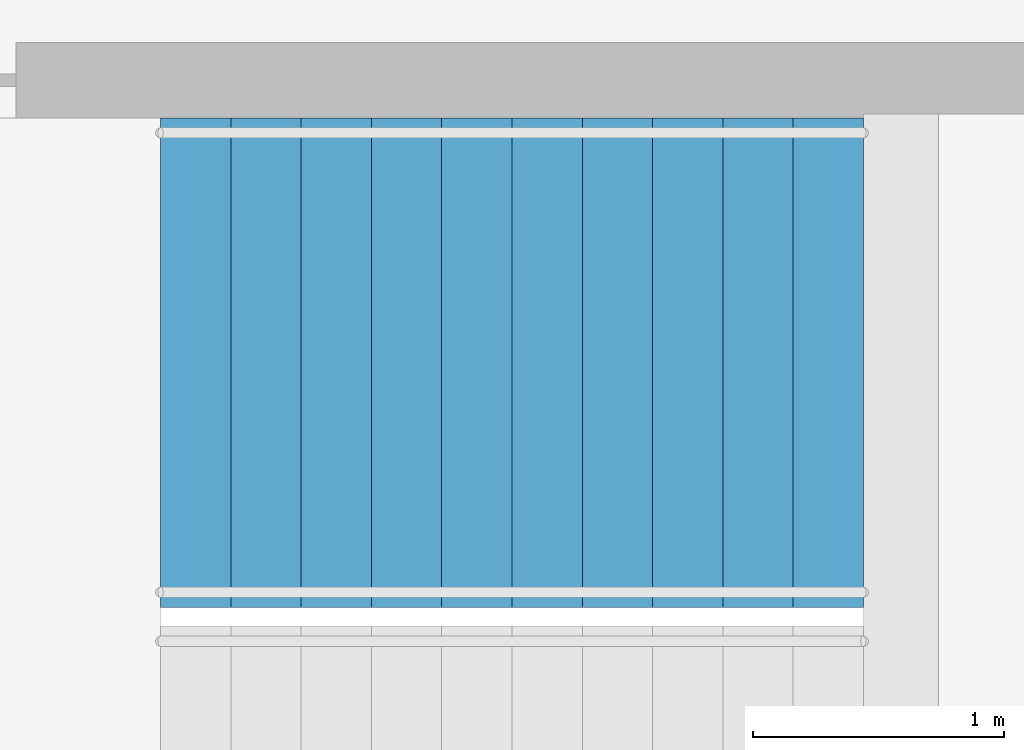
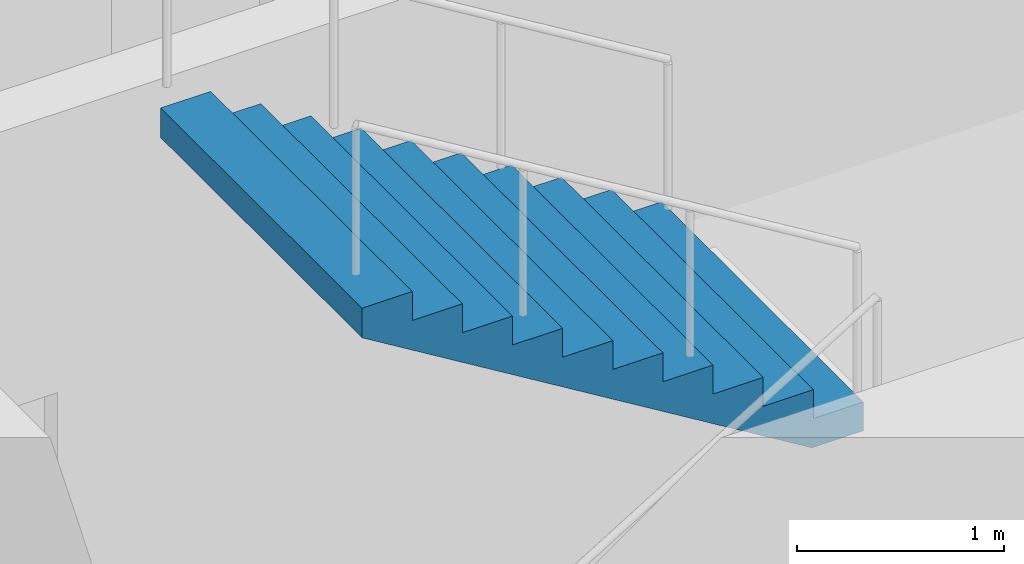
# One storey, part 18 of 21: 1 stair flight, 1 element without a shape of its own.
"""IFC4 building model written with IfcOpenShell, lengths in metres."""

from ifc_helpers import new_model, si_unit, direction, frame, origin, place, context, subcontext, project, spatial, triangles, material, type_object, element, aggregate, save


model = new_model("IFC4")

# Units and contexts
model_context = context("Model", 3, precision=1e-05, world=origin(), true_north=direction((0.0, 1.0)))
body_context = subcontext(model_context, "Body", "Model", "MODEL_VIEW")
ifc_project = project(units=[si_unit("LENGTHUNIT", "METRE"), si_unit("AREAUNIT", "SQUARE_METRE"), si_unit("VOLUMEUNIT", "CUBIC_METRE"), si_unit("PLANEANGLEUNIT", "RADIAN"), si_unit("MASSUNIT", "GRAM", prefix="KILO")], contexts=[model_context])

# Site, building, storey
site_placement = place(None, origin())
site = spatial("IfcSite", under=ifc_project, at=site_placement, CompositionType="ELEMENT")
building_placement = place(site_placement, origin())
building = spatial("IfcBuilding", under=site, at=building_placement, Name="Orbita Commons", CompositionType="ELEMENT")
storey_placement = place(building_placement, frame((0.0, 0.0, 88.14990234375)))
storey = spatial("IfcBuildingStorey", under=building, at=storey_placement, Name="L21", CompositionType="ELEMENT", Elevation=88.14990234375)

# Stair, stair flight
ifc_material_1 = material(Name="Precast concrete C40/50", Category="concrete")
stair_type = type_object("IfcStairType", Name="Exit stair S1 2 flights 11 risers 170", PredefinedType="HALF_TURN_STAIR", material=ifc_material_1)
stair_placement = place(storey_placement, origin())
stair = element("IfcStair", 1, at=stair_placement, inside=storey, type_object=stair_type, Name="Exit stair S1 L21", PredefinedType="HALF_TURN_STAIR")
ifc_material_2 = material(Name="Precast concrete C40/50", Category="concrete")
stair_flight_type = type_object("IfcStairFlightType", Name="Stair flight 11 risers 170 x 280", PredefinedType="STRAIGHT", material=ifc_material_2)
stair_flight_placement = place(storey_placement, frame((23.25, 29.27490234375, 1.875), z_axis=(0.0, 0.0, 1.0), x_axis=(-1.0, 0.0, 0.0)))
stair_flight = element("IfcStairFlight", 2, at=stair_flight_placement, type_object=stair_flight_type, Name="S1 flight 2", NumberOfRisers=11, NumberOfTreads=10, PredefinedType="STRAIGHT", RiserHeight=0.170454545, TreadLength=0.28, context=body_context, shape_type="Tessellation", body=[
    triangles([(0.0, 0.974976, 0.0), (0.0, 0.974976, 0.021307), (0.0, 0.81248, 0.021307), (0.0, 0.81248, 0.0), (0.0, 0.649984, 0.021307), (0.0, 0.649984, 0.0), (0.0, 0.487488, 0.021307), (0.0, 0.487488, 0.0), (0.0, 0.324992, 0.021307), (0.0, 0.324992, 0.0), (0.0, 0.162496, 0.021307), (0.0, 0.162496, 0.0), (0.0, 0.0, 0.021307), (0.0, 0.0, 0.0), (0.0, -0.162496, 0.021307), (0.0, -0.162496, 0.0), (0.0, -0.324992, 0.021307), (0.0, -0.324992, 0.0), (0.0, -0.487488, 0.021307), (0.0, -0.487488, 0.0), (0.0, -0.649984, 0.021307), (0.0, -0.649984, 0.0), (0.0, -0.81248, 0.021307), (0.0, -0.81248, 0.0), (0.0, -0.974976, 0.021307), (0.0, -0.974976, 0.0), (0.0, 0.974976, 0.042614), (0.0, 0.81248, 0.042614), (0.0, 0.649984, 0.042614), (0.0, 0.487488, 0.042614), (0.0, 0.324992, 0.042614), (0.0, 0.162496, 0.042614), (0.0, 0.0, 0.042614), (0.0, -0.162496, 0.042614), (0.0, -0.324992, 0.042614), (0.0, -0.487488, 0.042614), (0.0, -0.649984, 0.042614), (0.0, -0.81248, 0.042614), (0.0, -0.974976, 0.042614), (0.0, 0.974976, 0.06392), (0.0, 0.81248, 0.06392), (0.0, 0.649984, 0.06392), (0.0, 0.487488, 0.06392), (0.0, 0.324992, 0.06392), (0.0, 0.162496, 0.06392), (0.0, 0.0, 0.06392), (0.0, -0.162496, 0.06392), (0.0, -0.324992, 0.06392), (0.0, -0.487488, 0.06392), (0.0, -0.649984, 0.06392), (0.0, -0.81248, 0.06392), (0.0, -0.974976, 0.06392), (0.0, 0.974976, 0.085227), (0.0, 0.81248, 0.085227), (0.0, 0.649984, 0.085227), (0.0, 0.487488, 0.085227), (0.0, 0.324992, 0.085227), (0.0, 0.162496, 0.085227), (0.0, 0.0, 0.085227), (0.0, -0.162496, 0.085227), (0.0, -0.324992, 0.085227), (0.0, -0.487488, 0.085227), (0.0, -0.649984, 0.085227), (0.0, -0.81248, 0.085227), (0.0, -0.974976, 0.085227), (0.0, 0.974976, 0.106534), (0.0, 0.81248, 0.106534), (0.0, 0.649984, 0.106534), (0.0, 0.487488, 0.106534), (0.0, 0.324992, 0.106534), (0.0, 0.162496, 0.106534), (0.0, 0.0, 0.106534), (0.0, -0.162496, 0.106534), (0.0, -0.324992, 0.106534), (0.0, -0.487488, 0.106534), (0.0, -0.649984, 0.106534), (0.0, -0.81248, 0.106534), (0.0, -0.974976, 0.106534), (0.0, 0.974976, 0.127841), (0.0, 0.81248, 0.127841), (0.0, 0.649984, 0.127841), (0.0, 0.487488, 0.127841), (0.0, 0.324992, 0.127841), (0.0, 0.162496, 0.127841), (0.0, 0.0, 0.127841), (0.0, -0.162496, 0.127841), (0.0, -0.324992, 0.127841), (0.0, -0.487488, 0.127841), (0.0, -0.649984, 0.127841), (0.0, -0.81248, 0.127841), (0.0, -0.974976, 0.127841), (0.0, 0.974976, 0.149148), (0.0, 0.81248, 0.149148), (0.0, 0.649984, 0.149148), (0.0, 0.487488, 0.149148), (0.0, 0.324992, 0.149148), (0.0, 0.162496, 0.149148), (0.0, 0.0, 0.149148), (0.0, -0.162496, 0.149148), (0.0, -0.324992, 0.149148), (0.0, -0.487488, 0.149148), (0.0, -0.649984, 0.149148), (0.0, -0.81248, 0.149148), (0.0, -0.974976, 0.149148), (0.0, 0.974976, 0.170455), (0.0, 0.81248, 0.170455), (0.0, 0.649984, 0.170455), (0.0, 0.487488, 0.170455), (0.0, 0.324992, 0.170455), (0.0, 0.162496, 0.170455), (0.0, 0.0, 0.170455), (0.0, -0.162496, 0.170455), (0.0, -0.324992, 0.170455), (0.0, -0.487488, 0.170455), (0.0, -0.649984, 0.170455), (0.0, -0.81248, 0.170455), (0.0, -0.974976, 0.170455), (0.28, 0.974976, 0.170455), (0.28, 0.81248, 0.170455), (0.28, 0.649984, 0.170455), (0.28, 0.487488, 0.170455), (0.28, 0.324992, 0.170455), (0.28, 0.162496, 0.170455), (0.28, 0.0, 0.170455), (0.28, -0.162496, 0.170455), (0.28, -0.324992, 0.170455), (0.28, -0.487488, 0.170455), (0.28, -0.649984, 0.170455), (0.28, -0.81248, 0.170455), (0.28, -0.974976, 0.170455), (0.28, 0.974976, 0.340909), (0.28, 0.81248, 0.340909), (0.28, 0.649984, 0.340909), (0.28, 0.487488, 0.340909), (0.28, 0.324992, 0.340909), (0.28, 0.162496, 0.340909), (0.28, 0.0, 0.340909), (0.28, -0.162496, 0.340909), (0.28, -0.324992, 0.340909), (0.28, -0.487488, 0.340909), (0.28, -0.649984, 0.340909), (0.28, -0.81248, 0.340909), (0.28, -0.974976, 0.340909), (0.56, 0.974976, 0.340909), (0.56, 0.81248, 0.340909), (0.56, 0.649984, 0.340909), (0.56, 0.487488, 0.340909), (0.56, 0.324992, 0.340909), (0.56, 0.162496, 0.340909), (0.56, 0.0, 0.340909), (0.56, -0.162496, 0.340909), (0.56, -0.324992, 0.340909), (0.56, -0.487488, 0.340909), (0.56, -0.649984, 0.340909), (0.56, -0.81248, 0.340909), (0.56, -0.974976, 0.340909), (0.56, 0.974976, 0.511364), (0.56, 0.81248, 0.511364), (0.56, 0.649984, 0.511364), (0.56, 0.487488, 0.511364), (0.56, 0.324992, 0.511364), (0.56, 0.162496, 0.511364), (0.56, 0.0, 0.511364), (0.56, -0.162496, 0.511364), (0.56, -0.324992, 0.511364), (0.56, -0.487488, 0.511364), (0.56, -0.649984, 0.511364), (0.56, -0.81248, 0.511364), (0.56, -0.974976, 0.511364), (0.84, 0.974976, 0.511364), (0.84, 0.81248, 0.511364), (0.84, 0.649984, 0.511364), (0.84, 0.487488, 0.511364), (0.84, 0.324992, 0.511364), (0.84, 0.162496, 0.511364), (0.84, 0.0, 0.511364), (0.84, -0.162496, 0.511364), (0.84, -0.324992, 0.511364), (0.84, -0.487488, 0.511364), (0.84, -0.649984, 0.511364), (0.84, -0.81248, 0.511364), (0.84, -0.974976, 0.511364), (0.84, 0.974976, 0.681818), (0.84, 0.81248, 0.681818), (0.84, 0.649984, 0.681818), (0.84, 0.487488, 0.681818), (0.84, 0.324992, 0.681818), (0.84, 0.162496, 0.681818), (0.84, 0.0, 0.681818), (0.84, -0.162496, 0.681818), (0.84, -0.324992, 0.681818), (0.84, -0.487488, 0.681818), (0.84, -0.649984, 0.681818), (0.84, -0.81248, 0.681818), (0.84, -0.974976, 0.681818), (1.12, 0.974976, 0.681818), (1.12, 0.81248, 0.681818), (1.12, 0.649984, 0.681818), (1.12, 0.487488, 0.681818), (1.12, 0.324992, 0.681818), (1.12, 0.162496, 0.681818), (1.12, 0.0, 0.681818), (1.12, -0.162496, 0.681818), (1.12, -0.324992, 0.681818), (1.12, -0.487488, 0.681818), (1.12, -0.649984, 0.681818), (1.12, -0.81248, 0.681818), (1.12, -0.974976, 0.681818), (1.12, 0.974976, 0.852273), (1.12, 0.81248, 0.852273), (1.12, 0.649984, 0.852273), (1.12, 0.487488, 0.852273), (1.12, 0.324992, 0.852273), (1.12, 0.162496, 0.852273), (1.12, 0.0, 0.852273), (1.12, -0.162496, 0.852273), (1.12, -0.324992, 0.852273), (1.12, -0.487488, 0.852273), (1.12, -0.649984, 0.852273), (1.12, -0.81248, 0.852273), (1.12, -0.974976, 0.852273), (1.4, 0.974976, 0.852273), (1.4, 0.81248, 0.852273), (1.4, 0.649984, 0.852273), (1.4, 0.487488, 0.852273), (1.4, 0.324992, 0.852273), (1.4, 0.162496, 0.852273), (1.4, 0.0, 0.852273), (1.4, -0.162496, 0.852273), (1.4, -0.324992, 0.852273), (1.4, -0.487488, 0.852273), (1.4, -0.649984, 0.852273), (1.4, -0.81248, 0.852273), (1.4, -0.974976, 0.852273), (1.4, 0.974976, 1.022727), (1.4, 0.81248, 1.022727), (1.4, 0.649984, 1.022727), (1.4, 0.487488, 1.022727), (1.4, 0.324992, 1.022727), (1.4, 0.162496, 1.022727), (1.4, 0.0, 1.022727), (1.4, -0.162496, 1.022727), (1.4, -0.324992, 1.022727), (1.4, -0.487488, 1.022727), (1.4, -0.649984, 1.022727), (1.4, -0.81248, 1.022727), (1.4, -0.974976, 1.022727), (1.68, 0.974976, 1.022727), (1.68, 0.81248, 1.022727), (1.68, 0.649984, 1.022727), (1.68, 0.487488, 1.022727), (1.68, 0.324992, 1.022727), (1.68, 0.162496, 1.022727), (1.68, 0.0, 1.022727), (1.68, -0.162496, 1.022727), (1.68, -0.324992, 1.022727), (1.68, -0.487488, 1.022727), (1.68, -0.649984, 1.022727), (1.68, -0.81248, 1.022727), (1.68, -0.974976, 1.022727), (1.68, 0.974976, 1.193182), (1.68, 0.81248, 1.193182), (1.68, 0.649984, 1.193182), (1.68, 0.487488, 1.193182), (1.68, 0.324992, 1.193182), (1.68, 0.162496, 1.193182), (1.68, 0.0, 1.193182), (1.68, -0.162496, 1.193182), (1.68, -0.324992, 1.193182), (1.68, -0.487488, 1.193182), (1.68, -0.649984, 1.193182), (1.68, -0.81248, 1.193182), (1.68, -0.974976, 1.193182), (1.96, 0.974976, 1.193182), (1.96, 0.81248, 1.193182), (1.96, 0.649984, 1.193182), (1.96, 0.487488, 1.193182), (1.96, 0.324992, 1.193182), (1.96, 0.162496, 1.193182), (1.96, 0.0, 1.193182), (1.96, -0.162496, 1.193182), (1.96, -0.324992, 1.193182), (1.96, -0.487488, 1.193182), (1.96, -0.649984, 1.193182), (1.96, -0.81248, 1.193182), (1.96, -0.974976, 1.193182), (1.96, 0.974976, 1.363636), (1.96, 0.81248, 1.363636), (1.96, 0.649984, 1.363636), (1.96, 0.487488, 1.363636), (1.96, 0.324992, 1.363636), (1.96, 0.162496, 1.363636), (1.96, 0.0, 1.363636), (1.96, -0.162496, 1.363636), (1.96, -0.324992, 1.363636), (1.96, -0.487488, 1.363636), (1.96, -0.649984, 1.363636), (1.96, -0.81248, 1.363636), (1.96, -0.974976, 1.363636), (2.24, 0.974976, 1.363636), (2.24, 0.81248, 1.363636), (2.24, 0.649984, 1.363636), (2.24, 0.487488, 1.363636), (2.24, 0.324992, 1.363636), (2.24, 0.162496, 1.363636), (2.24, 0.0, 1.363636), (2.24, -0.162496, 1.363636), (2.24, -0.324992, 1.363636), (2.24, -0.487488, 1.363636), (2.24, -0.649984, 1.363636), (2.24, -0.81248, 1.363636), (2.24, -0.974976, 1.363636), (2.24, 0.974976, 1.534091), (2.24, 0.81248, 1.534091), (2.24, 0.649984, 1.534091), (2.24, 0.487488, 1.534091), (2.24, 0.324992, 1.534091), (2.24, 0.162496, 1.534091), (2.24, 0.0, 1.534091), (2.24, -0.162496, 1.534091), (2.24, -0.324992, 1.534091), (2.24, -0.487488, 1.534091), (2.24, -0.649984, 1.534091), (2.24, -0.81248, 1.534091), (2.24, -0.974976, 1.534091), (2.52, 0.974976, 1.534091), (2.52, 0.81248, 1.534091), (2.52, 0.649984, 1.534091), (2.52, 0.487488, 1.534091), (2.52, 0.324992, 1.534091), (2.52, 0.162496, 1.534091), (2.52, 0.0, 1.534091), (2.52, -0.162496, 1.534091), (2.52, -0.324992, 1.534091), (2.52, -0.487488, 1.534091), (2.52, -0.649984, 1.534091), (2.52, -0.81248, 1.534091), (2.52, -0.974976, 1.534091), (2.52, 0.974976, 1.704545), (2.52, 0.81248, 1.704545), (2.52, 0.649984, 1.704545), (2.52, 0.487488, 1.704545), (2.52, 0.324992, 1.704545), (2.52, 0.162496, 1.704545), (2.52, 0.0, 1.704545), (2.52, -0.162496, 1.704545), (2.52, -0.324992, 1.704545), (2.52, -0.487488, 1.704545), (2.52, -0.649984, 1.704545), (2.52, -0.81248, 1.704545), (2.52, -0.974976, 1.704545), (2.8, 0.974976, 1.704545), (2.8, 0.81248, 1.704545), (2.8, 0.649984, 1.704545), (2.8, 0.487488, 1.704545), (2.8, 0.324992, 1.704545), (2.8, 0.162496, 1.704545), (2.8, 0.0, 1.704545), (2.8, -0.162496, 1.704545), (2.8, -0.324992, 1.704545), (2.8, -0.487488, 1.704545), (2.8, -0.649984, 1.704545), (2.8, -0.81248, 1.704545), (2.8, -0.974976, 1.704545), (2.8, 0.974976, 1.682609), (2.8, 0.81248, 1.682609), (2.8, 0.649984, 1.682609), (2.8, 0.487488, 1.682609), (2.8, 0.324992, 1.682609), (2.8, 0.162496, 1.682609), (2.8, 0.0, 1.682609), (2.8, -0.162496, 1.682609), (2.8, -0.324992, 1.682609), (2.8, -0.487488, 1.682609), (2.8, -0.649984, 1.682609), (2.8, -0.81248, 1.682609), (2.8, -0.974976, 1.682609), (2.8, 0.974976, 1.660672), (2.8, 0.81248, 1.660672), (2.8, 0.649984, 1.660672), (2.8, 0.487488, 1.660672), (2.8, 0.324992, 1.660672), (2.8, 0.162496, 1.660672), (2.8, 0.0, 1.660672), (2.8, -0.162496, 1.660672), (2.8, -0.324992, 1.660672), (2.8, -0.487488, 1.660672), (2.8, -0.649984, 1.660672), (2.8, -0.81248, 1.660672), (2.8, -0.974976, 1.660672), (2.8, 0.974976, 1.638735), (2.8, 0.81248, 1.638735), (2.8, 0.649984, 1.638735), (2.8, 0.487488, 1.638735), (2.8, 0.324992, 1.638735), (2.8, 0.162496, 1.638735), (2.8, 0.0, 1.638735), (2.8, -0.162496, 1.638735), (2.8, -0.324992, 1.638735), (2.8, -0.487488, 1.638735), (2.8, -0.649984, 1.638735), (2.8, -0.81248, 1.638735), (2.8, -0.974976, 1.638735), (2.8, 0.974976, 1.616798), (2.8, 0.81248, 1.616798), (2.8, 0.649984, 1.616798), (2.8, 0.487488, 1.616798), (2.8, 0.324992, 1.616798), (2.8, 0.162496, 1.616798), (2.8, 0.0, 1.616798), (2.8, -0.162496, 1.616798), (2.8, -0.324992, 1.616798), (2.8, -0.487488, 1.616798), (2.8, -0.649984, 1.616798), (2.8, -0.81248, 1.616798), (2.8, -0.974976, 1.616798), (2.8, 0.974976, 1.594861), (2.8, 0.81248, 1.594861), (2.8, 0.649984, 1.594861), (2.8, 0.487488, 1.594861), (2.8, 0.324992, 1.594861), (2.8, 0.162496, 1.594861), (2.8, 0.0, 1.594861), (2.8, -0.162496, 1.594861), (2.8, -0.324992, 1.594861), (2.8, -0.487488, 1.594861), (2.8, -0.649984, 1.594861), (2.8, -0.81248, 1.594861), (2.8, -0.974976, 1.594861), (2.8, 0.974976, 1.572925), (2.8, 0.81248, 1.572925), (2.8, 0.649984, 1.572925), (2.8, 0.487488, 1.572925), (2.8, 0.324992, 1.572925), (2.8, 0.162496, 1.572925), (2.8, 0.0, 1.572925), (2.8, -0.162496, 1.572925), (2.8, -0.324992, 1.572925), (2.8, -0.487488, 1.572925), (2.8, -0.649984, 1.572925), (2.8, -0.81248, 1.572925), (2.8, -0.974976, 1.572925), (2.8, 0.974976, 1.550988), (2.8, 0.81248, 1.550988), (2.8, 0.649984, 1.550988), (2.8, 0.487488, 1.550988), (2.8, 0.324992, 1.550988), (2.8, 0.162496, 1.550988), (2.8, 0.0, 1.550988), (2.8, -0.162496, 1.550988), (2.8, -0.324992, 1.550988), (2.8, -0.487488, 1.550988), (2.8, -0.649984, 1.550988), (2.8, -0.81248, 1.550988), (2.8, -0.974976, 1.550988), (2.8, 0.974976, 1.529051), (2.8, 0.81248, 1.529051), (2.8, 0.649984, 1.529051), (2.8, 0.487488, 1.529051), (2.8, 0.324992, 1.529051), (2.8, 0.162496, 1.529051), (2.8, 0.0, 1.529051), (2.8, -0.162496, 1.529051), (2.8, -0.324992, 1.529051), (2.8, -0.487488, 1.529051), (2.8, -0.649984, 1.529051), (2.8, -0.81248, 1.529051), (2.8, -0.974976, 1.529051), (0.288279, 0.974976, 0.0), (0.288279, 0.81248, 0.0), (0.288279, 0.649984, 0.0), (0.288279, 0.487488, 0.0), (0.288279, 0.324992, 0.0), (0.288279, 0.162496, 0.0), (0.288279, 0.0, 0.0), (0.288279, -0.162496, 0.0), (0.288279, -0.324992, 0.0), (0.288279, -0.487488, 0.0), (0.288279, -0.649984, 0.0), (0.288279, -0.81248, 0.0), (0.288279, -0.974976, 0.0)], [[3, 2, 1], [4, 3, 1], [5, 3, 4], [6, 5, 4], [7, 5, 6], [8, 7, 6], [9, 7, 8], [10, 9, 8], [11, 9, 10], [12, 11, 10], [13, 11, 12], [14, 13, 12], [15, 13, 14], [16, 15, 14], [17, 15, 16], [18, 17, 16], [19, 17, 18], [20, 19, 18], [21, 19, 20], [22, 21, 20], [23, 21, 22], [24, 23, 22], [25, 23, 24], [26, 25, 24], [28, 27, 2], [3, 28, 2], [29, 28, 3], [5, 29, 3], [30, 29, 5], [7, 30, 5], [31, 30, 7], [9, 31, 7], [32, 31, 9], [11, 32, 9], [33, 32, 11], [13, 33, 11], [34, 33, 13], [15, 34, 13], [35, 34, 15], [17, 35, 15], [36, 35, 17], [19, 36, 17], [37, 36, 19], [21, 37, 19], [38, 37, 21], [23, 38, 21], [39, 38, 23], [25, 39, 23], [41, 40, 27], [28, 41, 27], [42, 41, 28], [29, 42, 28], [43, 42, 29], [30, 43, 29], [44, 43, 30], [31, 44, 30], [45, 44, 31], [32, 45, 31], [46, 45, 32], [33, 46, 32], [47, 46, 33], [34, 47, 33], [48, 47, 34], [35, 48, 34], [49, 48, 35], [36, 49, 35], [50, 49, 36], [37, 50, 36], [51, 50, 37], [38, 51, 37], [52, 51, 38], [39, 52, 38], [54, 53, 40], [41, 54, 40], [55, 54, 41], [42, 55, 41], [56, 55, 42], [43, 56, 42], [57, 56, 43], [44, 57, 43], [58, 57, 44], [45, 58, 44], [59, 58, 45], [46, 59, 45], [60, 59, 46], [47, 60, 46], [61, 60, 47], [48, 61, 47], [62, 61, 48], [49, 62, 48], [63, 62, 49], [50, 63, 49], [64, 63, 50], [51, 64, 50], [65, 64, 51], [52, 65, 51], [67, 66, 53], [54, 67, 53], [68, 67, 54], [55, 68, 54], [69, 68, 55], [56, 69, 55], [70, 69, 56], [57, 70, 56], [71, 70, 57], [58, 71, 57], [72, 71, 58], [59, 72, 58], [73, 72, 59], [60, 73, 59], [74, 73, 60], [61, 74, 60], [75, 74, 61], [62, 75, 61], [76, 75, 62], [63, 76, 62], [77, 76, 63], [64, 77, 63], [78, 77, 64], [65, 78, 64], [80, 79, 66], [67, 80, 66], [81, 80, 67], [68, 81, 67], [82, 81, 68], [69, 82, 68], [83, 82, 69], [70, 83, 69], [84, 83, 70], [71, 84, 70], [85, 84, 71], [72, 85, 71], [86, 85, 72], [73, 86, 72], [87, 86, 73], [74, 87, 73], [88, 87, 74], [75, 88, 74], [89, 88, 75], [76, 89, 75], [90, 89, 76], [77, 90, 76], [91, 90, 77], [78, 91, 77], [93, 92, 79], [80, 93, 79], [94, 93, 80], [81, 94, 80], [95, 94, 81], [82, 95, 81], [96, 95, 82], [83, 96, 82], [97, 96, 83], [84, 97, 83], [98, 97, 84], [85, 98, 84], [99, 98, 85], [86, 99, 85], [100, 99, 86], [87, 100, 86], [101, 100, 87], [88, 101, 87], [102, 101, 88], [89, 102, 88], [103, 102, 89], [90, 103, 89], [104, 103, 90], [91, 104, 90], [106, 105, 92], [93, 106, 92], [107, 106, 93], [94, 107, 93], [108, 107, 94], [95, 108, 94], [109, 108, 95], [96, 109, 95], [110, 109, 96], [97, 110, 96], [111, 110, 97], [98, 111, 97], [112, 111, 98], [99, 112, 98], [113, 112, 99], [100, 113, 99], [114, 113, 100], [101, 114, 100], [115, 114, 101], [102, 115, 101], [116, 115, 102], [103, 116, 102], [117, 116, 103], [104, 117, 103], [119, 118, 105], [106, 119, 105], [120, 119, 106], [107, 120, 106], [121, 120, 107], [108, 121, 107], [122, 121, 108], [109, 122, 108], [123, 122, 109], [110, 123, 109], [124, 123, 110], [111, 124, 110], [125, 124, 111], [112, 125, 111], [126, 125, 112], [113, 126, 112], [127, 126, 113], [114, 127, 113], [128, 127, 114], [115, 128, 114], [129, 128, 115], [116, 129, 115], [130, 129, 116], [117, 130, 116], [132, 131, 118], [119, 132, 118], [133, 132, 119], [120, 133, 119], [134, 133, 120], [121, 134, 120], [135, 134, 121], [122, 135, 121], [136, 135, 122], [123, 136, 122], [137, 136, 123], [124, 137, 123], [138, 137, 124], [125, 138, 124], [139, 138, 125], [126, 139, 125], [140, 139, 126], [127, 140, 126], [141, 140, 127], [128, 141, 127], [142, 141, 128], [129, 142, 128], [143, 142, 129], [130, 143, 129], [145, 144, 131], [132, 145, 131], [146, 145, 132], [133, 146, 132], [147, 146, 133], [134, 147, 133], [148, 147, 134], [135, 148, 134], [149, 148, 135], [136, 149, 135], [150, 149, 136], [137, 150, 136], [151, 150, 137], [138, 151, 137], [152, 151, 138], [139, 152, 138], [153, 152, 139], [140, 153, 139], [154, 153, 140], [141, 154, 140], [155, 154, 141], [142, 155, 141], [156, 155, 142], [143, 156, 142], [158, 157, 144], [145, 158, 144], [159, 158, 145], [146, 159, 145], [160, 159, 146], [147, 160, 146], [161, 160, 147], [148, 161, 147], [162, 161, 148], [149, 162, 148], [163, 162, 149], [150, 163, 149], [164, 163, 150], [151, 164, 150], [165, 164, 151], [152, 165, 151], [166, 165, 152], [153, 166, 152], [167, 166, 153], [154, 167, 153], [168, 167, 154], [155, 168, 154], [169, 168, 155], [156, 169, 155], [171, 170, 157], [158, 171, 157], [172, 171, 158], [159, 172, 158], [173, 172, 159], [160, 173, 159], [174, 173, 160], [161, 174, 160], [175, 174, 161], [162, 175, 161], [176, 175, 162], [163, 176, 162], [177, 176, 163], [164, 177, 163], [178, 177, 164], [165, 178, 164], [179, 178, 165], [166, 179, 165], [180, 179, 166], [167, 180, 166], [181, 180, 167], [168, 181, 167], [182, 181, 168], [169, 182, 168], [184, 183, 170], [171, 184, 170], [185, 184, 171], [172, 185, 171], [186, 185, 172], [173, 186, 172], [187, 186, 173], [174, 187, 173], [188, 187, 174], [175, 188, 174], [189, 188, 175], [176, 189, 175], [190, 189, 176], [177, 190, 176], [191, 190, 177], [178, 191, 177], [192, 191, 178], [179, 192, 178], [193, 192, 179], [180, 193, 179], [194, 193, 180], [181, 194, 180], [195, 194, 181], [182, 195, 181], [197, 196, 183], [184, 197, 183], [198, 197, 184], [185, 198, 184], [199, 198, 185], [186, 199, 185], [200, 199, 186], [187, 200, 186], [201, 200, 187], [188, 201, 187], [202, 201, 188], [189, 202, 188], [203, 202, 189], [190, 203, 189], [204, 203, 190], [191, 204, 190], [205, 204, 191], [192, 205, 191], [206, 205, 192], [193, 206, 192], [207, 206, 193], [194, 207, 193], [208, 207, 194], [195, 208, 194], [210, 209, 196], [197, 210, 196], [211, 210, 197], [198, 211, 197], [212, 211, 198], [199, 212, 198], [213, 212, 199], [200, 213, 199], [214, 213, 200], [201, 214, 200], [215, 214, 201], [202, 215, 201], [216, 215, 202], [203, 216, 202], [217, 216, 203], [204, 217, 203], [218, 217, 204], [205, 218, 204], [219, 218, 205], [206, 219, 205], [220, 219, 206], [207, 220, 206], [221, 220, 207], [208, 221, 207], [223, 222, 209], [210, 223, 209], [224, 223, 210], [211, 224, 210], [225, 224, 211], [212, 225, 211], [226, 225, 212], [213, 226, 212], [227, 226, 213], [214, 227, 213], [228, 227, 214], [215, 228, 214], [229, 228, 215], [216, 229, 215], [230, 229, 216], [217, 230, 216], [231, 230, 217], [218, 231, 217], [232, 231, 218], [219, 232, 218], [233, 232, 219], [220, 233, 219], [234, 233, 220], [221, 234, 220], [236, 235, 222], [223, 236, 222], [237, 236, 223], [224, 237, 223], [238, 237, 224], [225, 238, 224], [239, 238, 225], [226, 239, 225], [240, 239, 226], [227, 240, 226], [241, 240, 227], [228, 241, 227], [242, 241, 228], [229, 242, 228], [243, 242, 229], [230, 243, 229], [244, 243, 230], [231, 244, 230], [245, 244, 231], [232, 245, 231], [246, 245, 232], [233, 246, 232], [247, 246, 233], [234, 247, 233], [249, 248, 235], [236, 249, 235], [250, 249, 236], [237, 250, 236], [251, 250, 237], [238, 251, 237], [252, 251, 238], [239, 252, 238], [253, 252, 239], [240, 253, 239], [254, 253, 240], [241, 254, 240], [255, 254, 241], [242, 255, 241], [256, 255, 242], [243, 256, 242], [257, 256, 243], [244, 257, 243], [258, 257, 244], [245, 258, 244], [259, 258, 245], [246, 259, 245], [260, 259, 246], [247, 260, 246], [262, 261, 248], [249, 262, 248], [263, 262, 249], [250, 263, 249], [264, 263, 250], [251, 264, 250], [265, 264, 251], [252, 265, 251], [266, 265, 252], [253, 266, 252], [267, 266, 253], [254, 267, 253], [268, 267, 254], [255, 268, 254], [269, 268, 255], [256, 269, 255], [270, 269, 256], [257, 270, 256], [271, 270, 257], [258, 271, 257], [272, 271, 258], [259, 272, 258], [273, 272, 259], [260, 273, 259], [275, 274, 261], [262, 275, 261], [276, 275, 262], [263, 276, 262], [277, 276, 263], [264, 277, 263], [278, 277, 264], [265, 278, 264], [279, 278, 265], [266, 279, 265], [280, 279, 266], [267, 280, 266], [281, 280, 267], [268, 281, 267], [282, 281, 268], [269, 282, 268], [283, 282, 269], [270, 283, 269], [284, 283, 270], [271, 284, 270], [285, 284, 271], [272, 285, 271], [286, 285, 272], [273, 286, 272], [288, 287, 274], [275, 288, 274], [289, 288, 275], [276, 289, 275], [290, 289, 276], [277, 290, 276], [291, 290, 277], [278, 291, 277], [292, 291, 278], [279, 292, 278], [293, 292, 279], [280, 293, 279], [294, 293, 280], [281, 294, 280], [295, 294, 281], [282, 295, 281], [296, 295, 282], [283, 296, 282], [297, 296, 283], [284, 297, 283], [298, 297, 284], [285, 298, 284], [299, 298, 285], [286, 299, 285], [301, 300, 287], [288, 301, 287], [302, 301, 288], [289, 302, 288], [303, 302, 289], [290, 303, 289], [304, 303, 290], [291, 304, 290], [305, 304, 291], [292, 305, 291], [306, 305, 292], [293, 306, 292], [307, 306, 293], [294, 307, 293], [308, 307, 294], [295, 308, 294], [309, 308, 295], [296, 309, 295], [310, 309, 296], [297, 310, 296], [311, 310, 297], [298, 311, 297], [312, 311, 298], [299, 312, 298], [314, 313, 300], [301, 314, 300], [315, 314, 301], [302, 315, 301], [316, 315, 302], [303, 316, 302], [317, 316, 303], [304, 317, 303], [318, 317, 304], [305, 318, 304], [319, 318, 305], [306, 319, 305], [320, 319, 306], [307, 320, 306], [321, 320, 307], [308, 321, 307], [322, 321, 308], [309, 322, 308], [323, 322, 309], [310, 323, 309], [324, 323, 310], [311, 324, 310], [325, 324, 311], [312, 325, 311], [327, 326, 313], [314, 327, 313], [328, 327, 314], [315, 328, 314], [329, 328, 315], [316, 329, 315], [330, 329, 316], [317, 330, 316], [331, 330, 317], [318, 331, 317], [332, 331, 318], [319, 332, 318], [333, 332, 319], [320, 333, 319], [334, 333, 320], [321, 334, 320], [335, 334, 321], [322, 335, 321], [336, 335, 322], [323, 336, 322], [337, 336, 323], [324, 337, 323], [338, 337, 324], [325, 338, 324], [340, 339, 326], [327, 340, 326], [341, 340, 327], [328, 341, 327], [342, 341, 328], [329, 342, 328], [343, 342, 329], [330, 343, 329], [344, 343, 330], [331, 344, 330], [345, 344, 331], [332, 345, 331], [346, 345, 332], [333, 346, 332], [347, 346, 333], [334, 347, 333], [348, 347, 334], [335, 348, 334], [349, 348, 335], [336, 349, 335], [350, 349, 336], [337, 350, 336], [351, 350, 337], [338, 351, 337], [353, 352, 339], [340, 353, 339], [354, 353, 340], [341, 354, 340], [355, 354, 341], [342, 355, 341], [356, 355, 342], [343, 356, 342], [357, 356, 343], [344, 357, 343], [358, 357, 344], [345, 358, 344], [359, 358, 345], [346, 359, 345], [360, 359, 346], [347, 360, 346], [361, 360, 347], [348, 361, 347], [362, 361, 348], [349, 362, 348], [363, 362, 349], [350, 363, 349], [364, 363, 350], [351, 364, 350], [366, 365, 352], [353, 366, 352], [367, 366, 353], [354, 367, 353], [368, 367, 354], [355, 368, 354], [369, 368, 355], [356, 369, 355], [370, 369, 356], [357, 370, 356], [371, 370, 357], [358, 371, 357], [372, 371, 358], [359, 372, 358], [373, 372, 359], [360, 373, 359], [374, 373, 360], [361, 374, 360], [375, 374, 361], [362, 375, 361], [376, 375, 362], [363, 376, 362], [377, 376, 363], [364, 377, 363], [379, 378, 365], [366, 379, 365], [380, 379, 366], [367, 380, 366], [381, 380, 367], [368, 381, 367], [382, 381, 368], [369, 382, 368], [383, 382, 369], [370, 383, 369], [384, 383, 370], [371, 384, 370], [385, 384, 371], [372, 385, 371], [386, 385, 372], [373, 386, 372], [387, 386, 373], [374, 387, 373], [388, 387, 374], [375, 388, 374], [389, 388, 375], [376, 389, 375], [390, 389, 376], [377, 390, 376], [392, 391, 378], [379, 392, 378], [393, 392, 379], [380, 393, 379], [394, 393, 380], [381, 394, 380], [395, 394, 381], [382, 395, 381], [396, 395, 382], [383, 396, 382], [397, 396, 383], [384, 397, 383], [398, 397, 384], [385, 398, 384], [399, 398, 385], [386, 399, 385], [400, 399, 386], [387, 400, 386], [401, 400, 387], [388, 401, 387], [402, 401, 388], [389, 402, 388], [403, 402, 389], [390, 403, 389], [405, 404, 391], [392, 405, 391], [406, 405, 392], [393, 406, 392], [407, 406, 393], [394, 407, 393], [408, 407, 394], [395, 408, 394], [409, 408, 395], [396, 409, 395], [410, 409, 396], [397, 410, 396], [411, 410, 397], [398, 411, 397], [412, 411, 398], [399, 412, 398], [413, 412, 399], [400, 413, 399], [414, 413, 400], [401, 414, 400], [415, 414, 401], [402, 415, 401], [416, 415, 402], [403, 416, 402], [418, 417, 404], [405, 418, 404], [419, 418, 405], [406, 419, 405], [420, 419, 406], [407, 420, 406], [421, 420, 407], [408, 421, 407], [422, 421, 408], [409, 422, 408], [423, 422, 409], [410, 423, 409], [424, 423, 410], [411, 424, 410], [425, 424, 411], [412, 425, 411], [426, 425, 412], [413, 426, 412], [427, 426, 413], [414, 427, 413], [428, 427, 414], [415, 428, 414], [429, 428, 415], [416, 429, 415], [431, 430, 417], [418, 431, 417], [432, 431, 418], [419, 432, 418], [433, 432, 419], [420, 433, 419], [434, 433, 420], [421, 434, 420], [435, 434, 421], [422, 435, 421], [436, 435, 422], [423, 436, 422], [437, 436, 423], [424, 437, 423], [438, 437, 424], [425, 438, 424], [439, 438, 425], [426, 439, 425], [440, 439, 426], [427, 440, 426], [441, 440, 427], [428, 441, 427], [442, 441, 428], [429, 442, 428], [444, 443, 430], [431, 444, 430], [445, 444, 431], [432, 445, 431], [446, 445, 432], [433, 446, 432], [447, 446, 433], [434, 447, 433], [448, 447, 434], [435, 448, 434], [449, 448, 435], [436, 449, 435], [450, 449, 436], [437, 450, 436], [451, 450, 437], [438, 451, 437], [452, 451, 438], [439, 452, 438], [453, 452, 439], [440, 453, 439], [454, 453, 440], [441, 454, 440], [455, 454, 441], [442, 455, 441], [457, 456, 443], [444, 457, 443], [458, 457, 444], [445, 458, 444], [459, 458, 445], [446, 459, 445], [460, 459, 446], [447, 460, 446], [461, 460, 447], [448, 461, 447], [462, 461, 448], [449, 462, 448], [463, 462, 449], [450, 463, 449], [464, 463, 450], [451, 464, 450], [465, 464, 451], [452, 465, 451], [466, 465, 452], [453, 466, 452], [467, 466, 453], [454, 467, 453], [468, 467, 454], [455, 468, 454], [470, 469, 456], [457, 470, 456], [471, 470, 457], [458, 471, 457], [472, 471, 458], [459, 472, 458], [473, 472, 459], [460, 473, 459], [474, 473, 460], [461, 474, 460], [475, 474, 461], [462, 475, 461], [476, 475, 462], [463, 476, 462], [477, 476, 463], [464, 477, 463], [478, 477, 464], [465, 478, 464], [479, 478, 465], [466, 479, 465], [480, 479, 466], [467, 480, 466], [481, 480, 467], [468, 481, 467], [4, 1, 469], [470, 4, 469], [6, 4, 470], [471, 6, 470], [8, 6, 471], [472, 8, 471], [10, 8, 472], [473, 10, 472], [12, 10, 473], [474, 12, 473], [14, 12, 474], [475, 14, 474], [16, 14, 475], [476, 16, 475], [18, 16, 476], [477, 18, 476], [20, 18, 477], [478, 20, 477], [22, 20, 478], [479, 22, 478], [24, 22, 479], [480, 24, 479], [26, 24, 480], [481, 26, 480], [456, 469, 1], [26, 481, 468], [443, 456, 1], [26, 468, 455], [430, 443, 1], [26, 455, 442], [417, 430, 1], [26, 442, 429], [404, 417, 1], [26, 429, 416], [391, 404, 1], [26, 416, 403], [378, 391, 1], [26, 403, 390], [365, 378, 1], [26, 390, 377], [339, 352, 365], [377, 364, 351], [326, 339, 365], [377, 351, 338], [300, 313, 326], [338, 325, 312], [300, 326, 365], [377, 338, 312], [274, 287, 300], [312, 299, 286], [274, 300, 365], [377, 312, 286], [248, 261, 274], [286, 273, 260], [248, 274, 365], [377, 286, 260], [222, 235, 248], [260, 247, 234], [222, 248, 365], [377, 260, 234], [196, 209, 222], [234, 221, 208], [196, 222, 365], [377, 234, 208], [170, 183, 196], [208, 195, 182], [170, 196, 365], [377, 208, 182], [144, 157, 170], [182, 169, 156], [144, 170, 365], [377, 182, 156], [118, 131, 144], [156, 143, 130], [118, 144, 365], [377, 156, 130], [118, 365, 1], [26, 377, 130], [92, 105, 118], [130, 117, 104], [79, 92, 118], [130, 104, 91], [66, 79, 118], [130, 91, 78], [53, 66, 118], [130, 78, 65], [40, 53, 118], [130, 65, 52], [27, 40, 118], [130, 52, 39], [2, 27, 118], [130, 39, 25], [1, 2, 118], [130, 25, 26]], closed=True),
])
aggregate(stair, [stair_flight])

save(model, "model.ifc")
